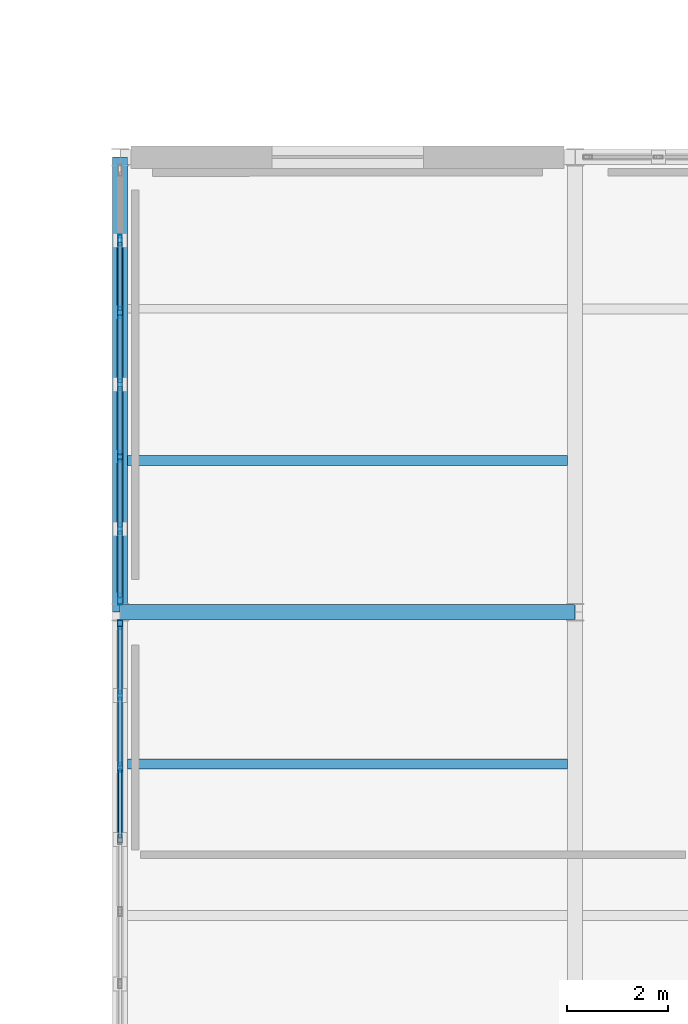
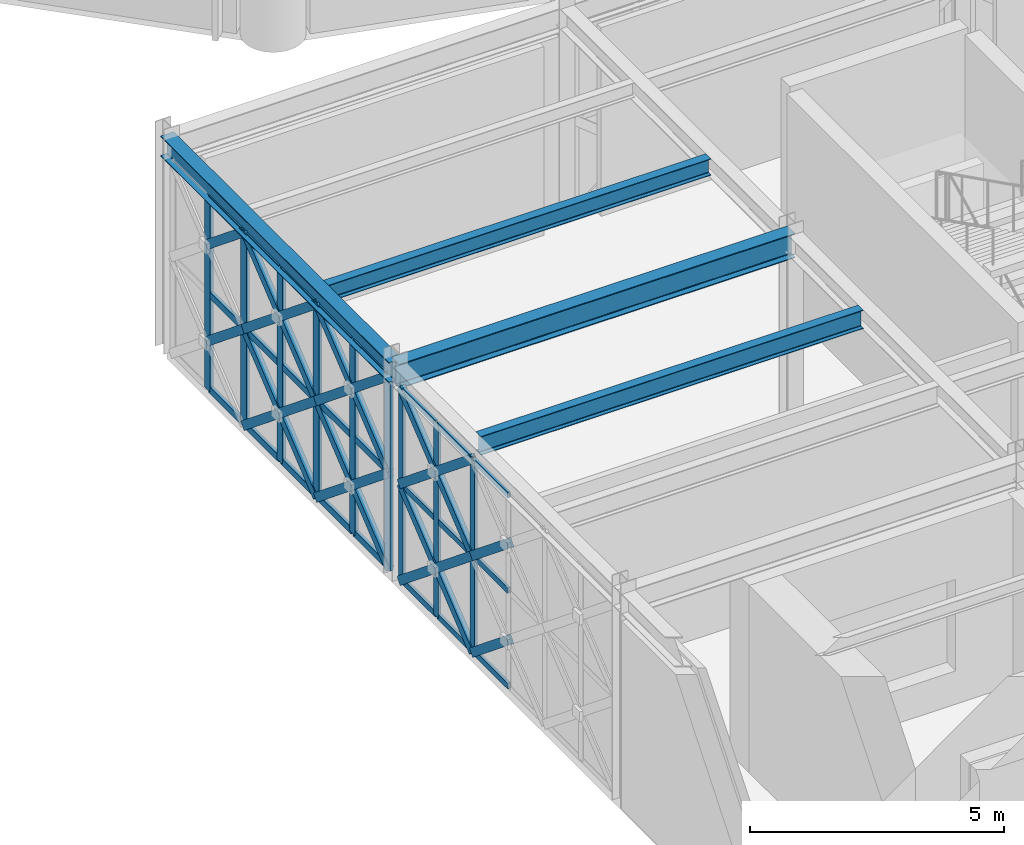
# One storey, part 35 of 166: 55 members, 4 beams, 2 elements without a shape of their own.
"""IFC4 building model written with IfcOpenShell, lengths in metres."""

from ifc_helpers import new_model, si_unit, direction, frame, origin, origin_2d, place, context, subcontext, project, spatial, hollow_rectangle, i_section, extrude, material, material_profile, profile_set, type_object, element, aggregate, save


model = new_model("IFC4")

# Units and contexts
model_context = context("Model", 3, precision=1e-05, world=origin(), true_north=direction((0.0, 1.0)))
body_context = subcontext(model_context, "Body", "Model", "MODEL_VIEW")
ifc_project = project(units=[si_unit("LENGTHUNIT", "METRE"), si_unit("AREAUNIT", "SQUARE_METRE"), si_unit("VOLUMEUNIT", "CUBIC_METRE"), si_unit("PLANEANGLEUNIT", "RADIAN"), si_unit("MASSUNIT", "GRAM", prefix="KILO")], contexts=[model_context])

# Site, building, storey
site_placement = place(None, origin())
site = spatial("IfcSite", under=ifc_project, at=site_placement, CompositionType="ELEMENT")
building_placement = place(site_placement, origin())
building = spatial("IfcBuilding", under=site, at=building_placement, Name="Haizhuo Lancet Aquarium", CompositionType="ELEMENT")
storey_placement = place(building_placement, frame((0.0, 0.0, 5.39990234375)))
storey = spatial("IfcBuildingStorey", under=building, at=storey_placement, Name="L01", CompositionType="ELEMENT", Elevation=5.39990234375)

# Beams
ifc_material_1 = material(Name="Steel S355", Category="steel")
ifc_material_profile_1 = material_profile(ifc_material_1, i_section(OverallWidth=0.300048828125, OverallDepth=0.488037109375, WebThickness=0.010986328125, FlangeThickness=0.01806640625, FilletRadius=0.02392578125, at=origin_2d()), Name="HM 488x300x11x18")
ifc_profile_set_1 = profile_set([ifc_material_profile_1], Name="Steel S355")
beam_type_1 = type_object("IfcBeamType", Name="BM-ST-HM488", PredefinedType="BEAM", material=ifc_profile_set_1)
beam_1_placement = place(storey_placement, frame((-18.0, -36.0, 4.89599609375), z_axis=(0.0, 1.0, 0.0), x_axis=(-1.0, 0.0, 0.0)))
element("IfcBeam", 1, at=beam_1_placement, inside=storey, type_object=beam_type_1, Name="L01 V4 primary girder BM-L01-V4-005", PredefinedType="BEAM", context=body_context, shape_type="SweptSolid", body=[
    extrude(i_section(OverallWidth=0.300048828125, OverallDepth=0.488037109375, WebThickness=0.010986328125, FlangeThickness=0.01806640625, FilletRadius=0.02392578125, at=origin_2d()), origin(), (0.0, 0.0, 1.0), 9.0),
])
ifc_material_profile_2 = material_profile(ifc_material_1, i_section(OverallWidth=0.300048828125, OverallDepth=0.587890625, WebThickness=0.011962890625, FlangeThickness=0.02001953125, FilletRadius=0.02587890625, at=origin_2d()), Name="HM 588x300x12x20")
ifc_profile_set_2 = profile_set([ifc_material_profile_2], Name="Steel S355")
beam_type_2 = type_object("IfcBeamType", Name="BM-ST-HM588", PredefinedType="BEAM", material=ifc_profile_set_2)
beam_2_placement = place(storey_placement, frame((-18.0, -36.0, 4.84619140625), z_axis=(1.0, 0.0, 0.0), x_axis=(0.0, 1.0, 0.0)))
element("IfcBeam", 2, at=beam_2_placement, inside=storey, type_object=beam_type_2, Name="L01 V4 primary girder BM-L01-V4-006", PredefinedType="BEAM", context=body_context, shape_type="SweptSolid", body=[
    extrude(i_section(OverallWidth=0.300048828125, OverallDepth=0.587890625, WebThickness=0.011962890625, FlangeThickness=0.02001953125, FilletRadius=0.02587890625, at=origin_2d()), origin(), (0.0, 0.0, 1.0), 9.0),
])

# Curtain wall, members
ifc_material_2 = material(Name="Aluminium 6063-T6", Category="aluminium")
curtain_wall_type = type_object("IfcCurtainWallType", Name="CWO-8560x4650", PredefinedType="NOTDEFINED", material=ifc_material_2)
curtain_wall_1_placement = place(storey_placement, origin())
curtain_wall_1 = element("IfcCurtainWall", 3, at=curtain_wall_1_placement, inside=storey, type_object=curtain_wall_type, Name="L01 curtain wall CW-V4-L01-100", PredefinedType="NOTDEFINED")
ifc_material_profile_3 = material_profile(ifc_material_2, hollow_rectangle(XDim=0.06494140625, YDim=0.179931640625, WallThickness=0.00390625, at=origin_2d()), Name="ALU-M 65x180x4")
ifc_profile_set_3 = profile_set([ifc_material_profile_3], Name="Aluminium 6063-T6")
member_type_1 = type_object("IfcMemberType", Name="CW-MUL-1", PredefinedType="MULLION", material=ifc_profile_set_3)
member_1_placement = place(storey_placement, frame((-18.0, -39.072998046875, 0.0), z_axis=(0.0, 0.0, 1.0), x_axis=(-1.0, 0.0, 0.0)))
member_1 = element("IfcMember", 4, at=member_1_placement, type_object=member_type_1, Name="CWO-85x46 mullion 5", PredefinedType="MULLION", context=body_context, shape_type="SweptSolid", body=[
    extrude(hollow_rectangle(XDim=0.06494140625, YDim=0.179931640625, WallThickness=0.00390625, at=origin_2d()), origin(), (0.0, 0.0, 1.0), 4.652099609375),
])
member_2_placement = place(storey_placement, frame((-18.0, -37.64697265625, 0.0), z_axis=(0.0, 0.0, 1.0), x_axis=(-1.0, 0.0, 0.0)))
member_2 = element("IfcMember", 5, at=member_2_placement, type_object=member_type_1, Name="CWO-85x46 mullion 6", PredefinedType="MULLION", context=body_context, shape_type="SweptSolid", body=[
    extrude(hollow_rectangle(XDim=0.06494140625, YDim=0.179931640625, WallThickness=0.00390625, at=origin_2d()), origin(), (0.0, 0.0, 1.0), 4.652099609375),
])
member_3_placement = place(storey_placement, frame((-18.0, -36.251953125, 0.0), z_axis=(0.0, 0.0, 1.0), x_axis=(-1.0, 0.0, 0.0)))
member_3 = element("IfcMember", 6, at=member_3_placement, type_object=member_type_1, Name="CWO-85x46 mullion 7", PredefinedType="MULLION", context=body_context, shape_type="SweptSolid", body=[
    extrude(hollow_rectangle(XDim=0.06494140625, YDim=0.179931640625, WallThickness=0.00390625, at=origin_2d()), origin(), (0.0, 0.0, 1.0), 4.652099609375),
])

curtain_wall_2_placement = place(storey_placement, origin())
curtain_wall_2 = element("IfcCurtainWall", 7, at=curtain_wall_2_placement, inside=storey, type_object=curtain_wall_type, Name="L01 curtain wall CW-V4-L01-101", PredefinedType="NOTDEFINED")
ifc_material_profile_4 = material_profile(ifc_material_2, hollow_rectangle(XDim=0.074951171875, YDim=0.219970703125, WallThickness=0.0048828125, at=origin_2d()), Name="ALU-M 75x220x5")
ifc_profile_set_4 = profile_set([ifc_material_profile_4], Name="Aluminium 6063-T6")
member_type_2 = type_object("IfcMemberType", Name="CW-MUL-2", PredefinedType="MULLION", material=ifc_profile_set_4)
member_4_placement = place(storey_placement, frame((-18.0, -35.741943359375, 0.0), z_axis=(0.0, 0.0, 1.0), x_axis=(-1.0, 0.0, 0.0)))
member_4 = element("IfcMember", 8, at=member_4_placement, type_object=member_type_2, Name="CWO-85x46 mullion 1", PredefinedType="MULLION", context=body_context, shape_type="SweptSolid", body=[
    extrude(hollow_rectangle(XDim=0.074951171875, YDim=0.219970703125, WallThickness=0.0048828125, at=origin_2d()), origin(), (0.0, 0.0, 1.0), 4.652099609375),
])
member_5_placement = place(storey_placement, frame((-18.0, -34.35302734375, 0.0), z_axis=(0.0, 0.0, 1.0), x_axis=(-1.0, 0.0, 0.0)))
member_5 = element("IfcMember", 9, at=member_5_placement, type_object=member_type_2, Name="CWO-85x46 mullion 2", PredefinedType="MULLION", context=body_context, shape_type="SweptSolid", body=[
    extrude(hollow_rectangle(XDim=0.074951171875, YDim=0.219970703125, WallThickness=0.0048828125, at=origin_2d()), origin(), (0.0, 0.0, 1.0), 4.652099609375),
])
member_6_placement = place(storey_placement, frame((-18.0, -32.927001953125, 0.0), z_axis=(0.0, 0.0, 1.0), x_axis=(-1.0, 0.0, 0.0)))
member_6 = element("IfcMember", 10, at=member_6_placement, type_object=member_type_2, Name="CWO-85x46 mullion 3", PredefinedType="MULLION", context=body_context, shape_type="SweptSolid", body=[
    extrude(hollow_rectangle(XDim=0.074951171875, YDim=0.219970703125, WallThickness=0.0048828125, at=origin_2d()), origin(), (0.0, 0.0, 1.0), 4.652099609375),
])
member_7_placement = place(storey_placement, frame((-18.0, -31.5, 0.0), z_axis=(0.0, 0.0, 1.0), x_axis=(-1.0, 0.0, 0.0)))
member_7 = element("IfcMember", 11, at=member_7_placement, type_object=member_type_2, Name="CWO-85x46 mullion 4", PredefinedType="MULLION", context=body_context, shape_type="SweptSolid", body=[
    extrude(hollow_rectangle(XDim=0.074951171875, YDim=0.219970703125, WallThickness=0.0048828125, at=origin_2d()), origin(), (0.0, 0.0, 1.0), 4.652099609375),
])
member_8_placement = place(storey_placement, frame((-18.0, -30.072998046875, 0.0), z_axis=(0.0, 0.0, 1.0), x_axis=(-1.0, 0.0, 0.0)))
member_8 = element("IfcMember", 12, at=member_8_placement, type_object=member_type_2, Name="CWO-85x46 mullion 5", PredefinedType="MULLION", context=body_context, shape_type="SweptSolid", body=[
    extrude(hollow_rectangle(XDim=0.074951171875, YDim=0.219970703125, WallThickness=0.0048828125, at=origin_2d()), origin(), (0.0, 0.0, 1.0), 4.652099609375),
])
member_9_placement = place(storey_placement, frame((-18.0, -28.64697265625, 0.0), z_axis=(0.0, 0.0, 1.0), x_axis=(-1.0, 0.0, 0.0)))
member_9 = element("IfcMember", 13, at=member_9_placement, type_object=member_type_2, Name="CWO-85x46 mullion 6", PredefinedType="MULLION", context=body_context, shape_type="SweptSolid", body=[
    extrude(hollow_rectangle(XDim=0.074951171875, YDim=0.219970703125, WallThickness=0.0048828125, at=origin_2d()), origin(), (0.0, 0.0, 1.0), 4.652099609375),
])

# Member
ifc_material_profile_5 = material_profile(ifc_material_2, hollow_rectangle(XDim=0.06494140625, YDim=0.139892578125, WallThickness=0.00390625, at=origin_2d()), Name="ALU-T 65x140x4")
ifc_profile_set_5 = profile_set([ifc_material_profile_5], Name="Aluminium 6063-T6")
member_type_3 = type_object("IfcMemberType", Name="CW-TRN-1", PredefinedType="NOTDEFINED", material=ifc_profile_set_5)
member_10_placement = place(storey_placement, frame((-18.0, -40.468017578125, 0.033203125), z_axis=(0.0, 1.0, 0.0), x_axis=(-1.0, 0.0, 0.0)))
member_10 = element("IfcMember", 14, at=member_10_placement, type_object=member_type_3, Name="CWO-85x46 transom 4.1", ObjectType="TRANSOM", PredefinedType="USERDEFINED", context=body_context, shape_type="SweptSolid", body=[
    extrude(hollow_rectangle(XDim=0.06494140625, YDim=0.139892578125, WallThickness=0.00390625, at=origin_2d()), origin(), (0.0, 0.0, 1.0), 1.362060546875),
])

member_11_placement = place(storey_placement, frame((-18.0, -40.468017578125, 2.326171875), z_axis=(0.0, 1.0, 0.0), x_axis=(-1.0, 0.0, 0.0)))
member_11 = element("IfcMember", 15, at=member_11_placement, type_object=member_type_3, Name="CWO-85x46 transom 4.2", ObjectType="TRANSOM", PredefinedType="USERDEFINED", context=body_context, shape_type="SweptSolid", body=[
    extrude(hollow_rectangle(XDim=0.06494140625, YDim=0.139892578125, WallThickness=0.00390625, at=origin_2d()), origin(), (0.0, 0.0, 1.0), 1.362060546875),
])

member_12_placement = place(storey_placement, frame((-18.0, -40.468017578125, 4.619140625), z_axis=(0.0, 1.0, 0.0), x_axis=(-1.0, 0.0, 0.0)))
member_12 = element("IfcMember", 16, at=member_12_placement, type_object=member_type_3, Name="CWO-85x46 transom 4.3", ObjectType="TRANSOM", PredefinedType="USERDEFINED", context=body_context, shape_type="SweptSolid", body=[
    extrude(hollow_rectangle(XDim=0.06494140625, YDim=0.139892578125, WallThickness=0.00390625, at=origin_2d()), origin(), (0.0, 0.0, 1.0), 1.362060546875),
])

member_13_placement = place(storey_placement, frame((-18.0, -39.041015625, 0.033203125), z_axis=(0.0, 1.0, 0.0), x_axis=(-1.0, 0.0, 0.0)))
member_13 = element("IfcMember", 17, at=member_13_placement, type_object=member_type_3, Name="CWO-85x46 transom 5.1", ObjectType="TRANSOM", PredefinedType="USERDEFINED", context=body_context, shape_type="SweptSolid", body=[
    extrude(hollow_rectangle(XDim=0.06494140625, YDim=0.139892578125, WallThickness=0.00390625, at=origin_2d()), origin(), (0.0, 0.0, 1.0), 1.362060546875),
])

member_14_placement = place(storey_placement, frame((-18.0, -39.041015625, 2.326171875), z_axis=(0.0, 1.0, 0.0), x_axis=(-1.0, 0.0, 0.0)))
member_14 = element("IfcMember", 18, at=member_14_placement, type_object=member_type_3, Name="CWO-85x46 transom 5.2", ObjectType="TRANSOM", PredefinedType="USERDEFINED", context=body_context, shape_type="SweptSolid", body=[
    extrude(hollow_rectangle(XDim=0.06494140625, YDim=0.139892578125, WallThickness=0.00390625, at=origin_2d()), origin(), (0.0, 0.0, 1.0), 1.362060546875),
])

member_15_placement = place(storey_placement, frame((-18.0, -39.041015625, 4.619140625), z_axis=(0.0, 1.0, 0.0), x_axis=(-1.0, 0.0, 0.0)))
member_15 = element("IfcMember", 19, at=member_15_placement, type_object=member_type_3, Name="CWO-85x46 transom 5.3", ObjectType="TRANSOM", PredefinedType="USERDEFINED", context=body_context, shape_type="SweptSolid", body=[
    extrude(hollow_rectangle(XDim=0.06494140625, YDim=0.139892578125, WallThickness=0.00390625, at=origin_2d()), origin(), (0.0, 0.0, 1.0), 1.362060546875),
])

member_16_placement = place(storey_placement, frame((-18.0, -37.614013671875, 0.033203125), z_axis=(0.0, 1.0, 0.0), x_axis=(-1.0, 0.0, 0.0)))
member_16 = element("IfcMember", 20, at=member_16_placement, type_object=member_type_3, Name="CWO-85x46 transom 6.1", ObjectType="TRANSOM", PredefinedType="USERDEFINED", context=body_context, shape_type="SweptSolid", body=[
    extrude(hollow_rectangle(XDim=0.06494140625, YDim=0.139892578125, WallThickness=0.00390625, at=origin_2d()), origin(), (0.0, 0.0, 1.0), 1.3291015625),
])

member_17_placement = place(storey_placement, frame((-18.0, -37.614013671875, 2.326171875), z_axis=(0.0, 1.0, 0.0), x_axis=(-1.0, 0.0, 0.0)))
member_17 = element("IfcMember", 21, at=member_17_placement, type_object=member_type_3, Name="CWO-85x46 transom 6.2", ObjectType="TRANSOM", PredefinedType="USERDEFINED", context=body_context, shape_type="SweptSolid", body=[
    extrude(hollow_rectangle(XDim=0.06494140625, YDim=0.139892578125, WallThickness=0.00390625, at=origin_2d()), origin(), (0.0, 0.0, 1.0), 1.3291015625),
])

member_18_placement = place(storey_placement, frame((-18.0, -37.614013671875, 4.619140625), z_axis=(0.0, 1.0, 0.0), x_axis=(-1.0, 0.0, 0.0)))
member_18 = element("IfcMember", 22, at=member_18_placement, type_object=member_type_3, Name="CWO-85x46 transom 6.3", ObjectType="TRANSOM", PredefinedType="USERDEFINED", context=body_context, shape_type="SweptSolid", body=[
    extrude(hollow_rectangle(XDim=0.06494140625, YDim=0.139892578125, WallThickness=0.00390625, at=origin_2d()), origin(), (0.0, 0.0, 1.0), 1.3291015625),
])

aggregate(curtain_wall_1, [member_1, member_2, member_3, member_10, member_11, member_12, member_13, member_14, member_15, member_16, member_17, member_18])

ifc_material_profile_6 = material_profile(ifc_material_2, hollow_rectangle(XDim=0.074951171875, YDim=0.159912109375, WallThickness=0.00390625, at=origin_2d()), Name="ALU-T 75x160x4")
ifc_profile_set_6 = profile_set([ifc_material_profile_6], Name="Aluminium 6063-T6")
member_type_4 = type_object("IfcMemberType", Name="CW-TRN-2", PredefinedType="NOTDEFINED", material=ifc_profile_set_6)
member_19_placement = place(storey_placement, frame((-18.0, -35.705078125, 0.0380859375), z_axis=(0.0, 1.0, 0.0), x_axis=(-1.0, 0.0, 0.0)))
member_19 = element("IfcMember", 23, at=member_19_placement, type_object=member_type_4, Name="CWO-85x46 transom 1.1", ObjectType="TRANSOM", PredefinedType="USERDEFINED", context=body_context, shape_type="SweptSolid", body=[
    extrude(hollow_rectangle(XDim=0.074951171875, YDim=0.159912109375, WallThickness=0.00390625, at=origin_2d()), origin(), (0.0, 0.0, 1.0), 1.31396484375),
])

member_20_placement = place(storey_placement, frame((-18.0, -35.705078125, 2.326171875), z_axis=(0.0, 1.0, 0.0), x_axis=(-1.0, 0.0, 0.0)))
member_20 = element("IfcMember", 24, at=member_20_placement, type_object=member_type_4, Name="CWO-85x46 transom 1.2", ObjectType="TRANSOM", PredefinedType="USERDEFINED", context=body_context, shape_type="SweptSolid", body=[
    extrude(hollow_rectangle(XDim=0.074951171875, YDim=0.159912109375, WallThickness=0.00390625, at=origin_2d()), origin(), (0.0, 0.0, 1.0), 1.31396484375),
])

member_21_placement = place(storey_placement, frame((-18.0, -35.705078125, 4.614013671875), z_axis=(0.0, 1.0, 0.0), x_axis=(-1.0, 0.0, 0.0)))
member_21 = element("IfcMember", 25, at=member_21_placement, type_object=member_type_4, Name="CWO-85x46 transom 1.3", ObjectType="TRANSOM", PredefinedType="USERDEFINED", context=body_context, shape_type="SweptSolid", body=[
    extrude(hollow_rectangle(XDim=0.074951171875, YDim=0.159912109375, WallThickness=0.00390625, at=origin_2d()), origin(), (0.0, 0.0, 1.0), 1.31396484375),
])

member_22_placement = place(storey_placement, frame((-18.0, -34.31591796875, 0.0380859375), z_axis=(0.0, 1.0, 0.0), x_axis=(-1.0, 0.0, 0.0)))
member_22 = element("IfcMember", 26, at=member_22_placement, type_object=member_type_4, Name="CWO-85x46 transom 2.1", ObjectType="TRANSOM", PredefinedType="USERDEFINED", context=body_context, shape_type="SweptSolid", body=[
    extrude(hollow_rectangle(XDim=0.074951171875, YDim=0.159912109375, WallThickness=0.00390625, at=origin_2d()), origin(), (0.0, 0.0, 1.0), 1.351806640625),
])

member_23_placement = place(storey_placement, frame((-18.0, -34.31591796875, 2.326171875), z_axis=(0.0, 1.0, 0.0), x_axis=(-1.0, 0.0, 0.0)))
member_23 = element("IfcMember", 27, at=member_23_placement, type_object=member_type_4, Name="CWO-85x46 transom 2.2", ObjectType="TRANSOM", PredefinedType="USERDEFINED", context=body_context, shape_type="SweptSolid", body=[
    extrude(hollow_rectangle(XDim=0.074951171875, YDim=0.159912109375, WallThickness=0.00390625, at=origin_2d()), origin(), (0.0, 0.0, 1.0), 1.351806640625),
])

member_24_placement = place(storey_placement, frame((-18.0, -34.31591796875, 4.614013671875), z_axis=(0.0, 1.0, 0.0), x_axis=(-1.0, 0.0, 0.0)))
member_24 = element("IfcMember", 28, at=member_24_placement, type_object=member_type_4, Name="CWO-85x46 transom 2.3", ObjectType="TRANSOM", PredefinedType="USERDEFINED", context=body_context, shape_type="SweptSolid", body=[
    extrude(hollow_rectangle(XDim=0.074951171875, YDim=0.159912109375, WallThickness=0.00390625, at=origin_2d()), origin(), (0.0, 0.0, 1.0), 1.351806640625),
])

member_25_placement = place(storey_placement, frame((-18.0, -32.888916015625, 0.0380859375), z_axis=(0.0, 1.0, 0.0), x_axis=(-1.0, 0.0, 0.0)))
member_25 = element("IfcMember", 29, at=member_25_placement, type_object=member_type_4, Name="CWO-85x46 transom 3.1", ObjectType="TRANSOM", PredefinedType="USERDEFINED", context=body_context, shape_type="SweptSolid", body=[
    extrude(hollow_rectangle(XDim=0.074951171875, YDim=0.159912109375, WallThickness=0.00390625, at=origin_2d()), origin(), (0.0, 0.0, 1.0), 1.350830078125),
])

member_26_placement = place(storey_placement, frame((-18.0, -32.888916015625, 2.326171875), z_axis=(0.0, 1.0, 0.0), x_axis=(-1.0, 0.0, 0.0)))
member_26 = element("IfcMember", 30, at=member_26_placement, type_object=member_type_4, Name="CWO-85x46 transom 3.2", ObjectType="TRANSOM", PredefinedType="USERDEFINED", context=body_context, shape_type="SweptSolid", body=[
    extrude(hollow_rectangle(XDim=0.074951171875, YDim=0.159912109375, WallThickness=0.00390625, at=origin_2d()), origin(), (0.0, 0.0, 1.0), 1.350830078125),
])

member_27_placement = place(storey_placement, frame((-18.0, -32.888916015625, 4.614013671875), z_axis=(0.0, 1.0, 0.0), x_axis=(-1.0, 0.0, 0.0)))
member_27 = element("IfcMember", 31, at=member_27_placement, type_object=member_type_4, Name="CWO-85x46 transom 3.3", ObjectType="TRANSOM", PredefinedType="USERDEFINED", context=body_context, shape_type="SweptSolid", body=[
    extrude(hollow_rectangle(XDim=0.074951171875, YDim=0.159912109375, WallThickness=0.00390625, at=origin_2d()), origin(), (0.0, 0.0, 1.0), 1.350830078125),
])

member_28_placement = place(storey_placement, frame((-18.0, -31.4619140625, 0.0380859375), z_axis=(0.0, 1.0, 0.0), x_axis=(-1.0, 0.0, 0.0)))
member_28 = element("IfcMember", 32, at=member_28_placement, type_object=member_type_4, Name="CWO-85x46 transom 4.1", ObjectType="TRANSOM", PredefinedType="USERDEFINED", context=body_context, shape_type="SweptSolid", body=[
    extrude(hollow_rectangle(XDim=0.074951171875, YDim=0.159912109375, WallThickness=0.00390625, at=origin_2d()), origin(), (0.0, 0.0, 1.0), 1.350830078125),
])

member_29_placement = place(storey_placement, frame((-18.0, -31.4619140625, 2.326171875), z_axis=(0.0, 1.0, 0.0), x_axis=(-1.0, 0.0, 0.0)))
member_29 = element("IfcMember", 33, at=member_29_placement, type_object=member_type_4, Name="CWO-85x46 transom 4.2", ObjectType="TRANSOM", PredefinedType="USERDEFINED", context=body_context, shape_type="SweptSolid", body=[
    extrude(hollow_rectangle(XDim=0.074951171875, YDim=0.159912109375, WallThickness=0.00390625, at=origin_2d()), origin(), (0.0, 0.0, 1.0), 1.350830078125),
])

member_30_placement = place(storey_placement, frame((-18.0, -31.4619140625, 4.614013671875), z_axis=(0.0, 1.0, 0.0), x_axis=(-1.0, 0.0, 0.0)))
member_30 = element("IfcMember", 34, at=member_30_placement, type_object=member_type_4, Name="CWO-85x46 transom 4.3", ObjectType="TRANSOM", PredefinedType="USERDEFINED", context=body_context, shape_type="SweptSolid", body=[
    extrude(hollow_rectangle(XDim=0.074951171875, YDim=0.159912109375, WallThickness=0.00390625, at=origin_2d()), origin(), (0.0, 0.0, 1.0), 1.350830078125),
])

member_31_placement = place(storey_placement, frame((-18.0, -30.035888671875, 0.0380859375), z_axis=(0.0, 1.0, 0.0), x_axis=(-1.0, 0.0, 0.0)))
member_31 = element("IfcMember", 35, at=member_31_placement, type_object=member_type_4, Name="CWO-85x46 transom 5.1", ObjectType="TRANSOM", PredefinedType="USERDEFINED", context=body_context, shape_type="SweptSolid", body=[
    extrude(hollow_rectangle(XDim=0.074951171875, YDim=0.159912109375, WallThickness=0.00390625, at=origin_2d()), origin(), (0.0, 0.0, 1.0), 1.351806640625),
])

member_32_placement = place(storey_placement, frame((-18.0, -30.035888671875, 2.326171875), z_axis=(0.0, 1.0, 0.0), x_axis=(-1.0, 0.0, 0.0)))
member_32 = element("IfcMember", 36, at=member_32_placement, type_object=member_type_4, Name="CWO-85x46 transom 5.2", ObjectType="TRANSOM", PredefinedType="USERDEFINED", context=body_context, shape_type="SweptSolid", body=[
    extrude(hollow_rectangle(XDim=0.074951171875, YDim=0.159912109375, WallThickness=0.00390625, at=origin_2d()), origin(), (0.0, 0.0, 1.0), 1.351806640625),
])

member_33_placement = place(storey_placement, frame((-18.0, -30.035888671875, 4.614013671875), z_axis=(0.0, 1.0, 0.0), x_axis=(-1.0, 0.0, 0.0)))
member_33 = element("IfcMember", 37, at=member_33_placement, type_object=member_type_4, Name="CWO-85x46 transom 5.3", ObjectType="TRANSOM", PredefinedType="USERDEFINED", context=body_context, shape_type="SweptSolid", body=[
    extrude(hollow_rectangle(XDim=0.074951171875, YDim=0.159912109375, WallThickness=0.00390625, at=origin_2d()), origin(), (0.0, 0.0, 1.0), 1.351806640625),
])

aggregate(curtain_wall_2, [member_4, member_5, member_6, member_7, member_8, member_9, member_19, member_20, member_21, member_22, member_23, member_24, member_25, member_26, member_27, member_28, member_29, member_30, member_31, member_32, member_33])

# Beams
ifc_material_profile_7 = material_profile(ifc_material_1, i_section(OverallWidth=0.199951171875, OverallDepth=0.39990234375, WebThickness=0.008056640625, FlangeThickness=0.012939453125, FilletRadius=0.01611328125, at=origin_2d()), Name="HN 400x200x8x13")
ifc_profile_set_7 = profile_set([ifc_material_profile_7], Name="Steel S355")
beam_type_3 = type_object("IfcBeamType", Name="JST-ST-HN400", PredefinedType="JOIST", material=ifc_profile_set_7)
beam_3_placement = place(storey_placement, frame((-17.85009765625, -33.0, 4.940185546875), z_axis=(1.0, 0.0, 0.0), x_axis=(0.0, 1.0, 0.0)))
element("IfcBeam", 38, at=beam_3_placement, inside=storey, type_object=beam_type_3, Name="L01 V4 secondary floor joist 5", PredefinedType="JOIST", context=body_context, shape_type="SweptSolid", body=[
    extrude(i_section(OverallWidth=0.199951171875, OverallDepth=0.39990234375, WebThickness=0.008056640625, FlangeThickness=0.012939453125, FilletRadius=0.01611328125, at=origin_2d()), origin(), (0.0, 0.0, 1.0), 8.7001953125),
])
ifc_material_profile_8 = material_profile(ifc_material_1, i_section(OverallWidth=0.199951171875, OverallDepth=0.449951171875, WebThickness=0.009033203125, FlangeThickness=0.013916015625, FilletRadius=0.01806640625, at=origin_2d()), Name="HN 450x200x9x14")
ifc_profile_set_8 = profile_set([ifc_material_profile_8], Name="Steel S355")
beam_type_4 = type_object("IfcBeamType", Name="JST-ST-HN450", PredefinedType="JOIST", material=ifc_profile_set_8)
beam_4_placement = place(storey_placement, frame((-17.85009765625, -39.0, 4.9150390625), z_axis=(1.0, 0.0, 0.0), x_axis=(0.0, 1.0, 0.0)))
element("IfcBeam", 39, at=beam_4_placement, inside=storey, type_object=beam_type_4, Name="L01 V4 secondary floor joist 4", PredefinedType="JOIST", context=body_context, shape_type="SweptSolid", body=[
    extrude(i_section(OverallWidth=0.199951171875, OverallDepth=0.449951171875, WebThickness=0.009033203125, FlangeThickness=0.013916015625, FilletRadius=0.01806640625, at=origin_2d()), origin(), (0.0, 0.0, 1.0), 8.7001953125),
])

# Members
ifc_material_profile_9 = material_profile(ifc_material_1, hollow_rectangle(XDim=0.1201171875, YDim=0.199951171875, WallThickness=0.008056640625, at=origin_2d()), Name="RHS 120x200x8")
ifc_profile_set_9 = profile_set([ifc_material_profile_9], Name="Steel S355")
member_type_5 = type_object("IfcMemberType", Name="MEM-LB-RHS120x200", PredefinedType="BRACE", material=ifc_profile_set_9)
member_34_placement = place(storey_placement, frame((-18.0, -39.072998046875, 0.0), z_axis=(0.0, -0.77514357805, 0.631785116481), x_axis=(1.0, 0.0, 0.0)))
element("IfcMember", 40, at=member_34_placement, inside=storey, type_object=member_type_5, Name="Gothic lancet split diagonal brace CW-V4-L01-100 3B1", PredefinedType="BRACE", context=body_context, shape_type="SweptSolid", body=[
    extrude(hollow_rectangle(XDim=0.1201171875, YDim=0.199951171875, WallThickness=0.008056640625, at=origin_2d()), origin(), (0.0, 0.0, 1.0), 1.841064453125),
])
member_35_placement = place(storey_placement, frame((-18.0, -39.072998046875, 2.326171875), z_axis=(0.0, -0.775208524913, 0.631705424151), x_axis=(1.0, 0.0, 0.0)))
element("IfcMember", 41, at=member_35_placement, inside=storey, type_object=member_type_5, Name="Gothic lancet split diagonal brace CW-V4-L01-100 4B1", PredefinedType="BRACE", context=body_context, shape_type="SweptSolid", body=[
    extrude(hollow_rectangle(XDim=0.1201171875, YDim=0.199951171875, WallThickness=0.008056640625, at=origin_2d()), origin(), (0.0, 0.0, 1.0), 1.8408203125),
])
member_36_placement = place(storey_placement, frame((-18.0, -39.072998046875, 0.0), z_axis=(0.0, 0.775037676978, 0.631915025351), x_axis=(-1.0, 0.0, 0.0)))
element("IfcMember", 42, at=member_36_placement, inside=storey, type_object=member_type_5, Name="Gothic lancet continuous diagonal brace CW-V4-L01-100 5A", PredefinedType="BRACE", context=body_context, shape_type="SweptSolid", body=[
    extrude(hollow_rectangle(XDim=0.1201171875, YDim=0.199951171875, WallThickness=0.008056640625, at=origin_2d()), origin(), (0.0, 0.0, 1.0), 3.68115234375),
])
member_37_placement = place(storey_placement, frame((-18.0, -36.219970703125, 0.0), z_axis=(0.0, -0.77514357805, 0.631785116481), x_axis=(1.0, 0.0, 0.0)))
element("IfcMember", 43, at=member_37_placement, inside=storey, type_object=member_type_5, Name="Gothic lancet split diagonal brace CW-V4-L01-100 5B1", PredefinedType="BRACE", context=body_context, shape_type="SweptSolid", body=[
    extrude(hollow_rectangle(XDim=0.1201171875, YDim=0.199951171875, WallThickness=0.008056640625, at=origin_2d()), origin(), (0.0, 0.0, 1.0), 1.841064453125),
])
member_38_placement = place(storey_placement, frame((-18.0, -37.64697265625, 1.1630859375), z_axis=(0.0, -0.774931710564, 0.63204496989), x_axis=(1.0, 0.0, 0.0)))
element("IfcMember", 44, at=member_38_placement, inside=storey, type_object=member_type_5, Name="Gothic lancet split diagonal brace CW-V4-L01-100 5B2", PredefinedType="BRACE", context=body_context, shape_type="SweptSolid", body=[
    extrude(hollow_rectangle(XDim=0.1201171875, YDim=0.199951171875, WallThickness=0.008056640625, at=origin_2d()), origin(), (0.0, 0.0, 1.0), 1.840087890625),
])
member_39_placement = place(storey_placement, frame((-18.0, -39.072998046875, 2.326171875), z_axis=(0.0, 0.775070158992, 0.631875184384), x_axis=(-1.0, 0.0, 0.0)))
element("IfcMember", 45, at=member_39_placement, inside=storey, type_object=member_type_5, Name="Gothic lancet continuous diagonal brace CW-V4-L01-100 6A", PredefinedType="BRACE", context=body_context, shape_type="SweptSolid", body=[
    extrude(hollow_rectangle(XDim=0.1201171875, YDim=0.199951171875, WallThickness=0.008056640625, at=origin_2d()), origin(), (0.0, 0.0, 1.0), 3.680908203125),
])
member_40_placement = place(storey_placement, frame((-18.0, -36.219970703125, 2.326171875), z_axis=(0.0, -0.775208524913, 0.631705424151), x_axis=(1.0, 0.0, 0.0)))
element("IfcMember", 46, at=member_40_placement, inside=storey, type_object=member_type_5, Name="Gothic lancet split diagonal brace CW-V4-L01-100 6B1", PredefinedType="BRACE", context=body_context, shape_type="SweptSolid", body=[
    extrude(hollow_rectangle(XDim=0.1201171875, YDim=0.199951171875, WallThickness=0.008056640625, at=origin_2d()), origin(), (0.0, 0.0, 1.0), 1.8408203125),
])
member_41_placement = place(storey_placement, frame((-18.0, -37.64697265625, 3.489013671875), z_axis=(0.0, -0.774931710564, 0.63204496989), x_axis=(1.0, 0.0, 0.0)))
element("IfcMember", 47, at=member_41_placement, inside=storey, type_object=member_type_5, Name="Gothic lancet split diagonal brace CW-V4-L01-100 6B2", PredefinedType="BRACE", context=body_context, shape_type="SweptSolid", body=[
    extrude(hollow_rectangle(XDim=0.1201171875, YDim=0.199951171875, WallThickness=0.008056640625, at=origin_2d()), origin(), (0.0, 0.0, 1.0), 1.840087890625),
])
member_42_placement = place(storey_placement, frame((-18.0, -35.780029296875, 0.0), z_axis=(0.0, 0.775037676978, 0.631915025351), x_axis=(-1.0, 0.0, 0.0)))
element("IfcMember", 48, at=member_42_placement, inside=storey, type_object=member_type_5, Name="Gothic lancet continuous diagonal brace CW-V4-L01-101 1A", PredefinedType="BRACE", context=body_context, shape_type="SweptSolid", body=[
    extrude(hollow_rectangle(XDim=0.1201171875, YDim=0.199951171875, WallThickness=0.008056640625, at=origin_2d()), origin(), (0.0, 0.0, 1.0), 3.68115234375),
])
member_43_placement = place(storey_placement, frame((-18.0, -32.927001953125, 0.0), z_axis=(0.0, -0.774931710564, 0.63204496989), x_axis=(1.0, 0.0, 0.0)))
element("IfcMember", 49, at=member_43_placement, inside=storey, type_object=member_type_5, Name="Gothic lancet split diagonal brace CW-V4-L01-101 1B1", PredefinedType="BRACE", context=body_context, shape_type="SweptSolid", body=[
    extrude(hollow_rectangle(XDim=0.1201171875, YDim=0.199951171875, WallThickness=0.008056640625, at=origin_2d()), origin(), (0.0, 0.0, 1.0), 1.840087890625),
])
member_44_placement = place(storey_placement, frame((-18.0, -34.35302734375, 1.1630859375), z_axis=(0.0, -0.77514357805, 0.631785116481), x_axis=(1.0, 0.0, 0.0)))
element("IfcMember", 50, at=member_44_placement, inside=storey, type_object=member_type_5, Name="Gothic lancet split diagonal brace CW-V4-L01-101 1B2", PredefinedType="BRACE", context=body_context, shape_type="SweptSolid", body=[
    extrude(hollow_rectangle(XDim=0.1201171875, YDim=0.199951171875, WallThickness=0.008056640625, at=origin_2d()), origin(), (0.0, 0.0, 1.0), 1.841064453125),
])
member_45_placement = place(storey_placement, frame((-18.0, -35.780029296875, 2.326171875), z_axis=(0.0, 0.775070158992, 0.631875184384), x_axis=(-1.0, 0.0, 0.0)))
element("IfcMember", 51, at=member_45_placement, inside=storey, type_object=member_type_5, Name="Gothic lancet continuous diagonal brace CW-V4-L01-101 2A", PredefinedType="BRACE", context=body_context, shape_type="SweptSolid", body=[
    extrude(hollow_rectangle(XDim=0.1201171875, YDim=0.199951171875, WallThickness=0.008056640625, at=origin_2d()), origin(), (0.0, 0.0, 1.0), 3.680908203125),
])
member_46_placement = place(storey_placement, frame((-18.0, -32.927001953125, 2.326171875), z_axis=(0.0, -0.774996693103, 0.63196528835), x_axis=(1.0, 0.0, 0.0)))
element("IfcMember", 52, at=member_46_placement, inside=storey, type_object=member_type_5, Name="Gothic lancet split diagonal brace CW-V4-L01-101 2B1", PredefinedType="BRACE", context=body_context, shape_type="SweptSolid", body=[
    extrude(hollow_rectangle(XDim=0.1201171875, YDim=0.199951171875, WallThickness=0.008056640625, at=origin_2d()), origin(), (0.0, 0.0, 1.0), 1.840087890625),
])
member_47_placement = place(storey_placement, frame((-18.0, -34.35302734375, 3.489013671875), z_axis=(0.0, -0.77514357805, 0.631785116481), x_axis=(1.0, 0.0, 0.0)))
element("IfcMember", 53, at=member_47_placement, inside=storey, type_object=member_type_5, Name="Gothic lancet split diagonal brace CW-V4-L01-101 2B2", PredefinedType="BRACE", context=body_context, shape_type="SweptSolid", body=[
    extrude(hollow_rectangle(XDim=0.1201171875, YDim=0.199951171875, WallThickness=0.008056640625, at=origin_2d()), origin(), (0.0, 0.0, 1.0), 1.841064453125),
])
member_48_placement = place(storey_placement, frame((-18.0, -32.927001953125, 0.0), z_axis=(0.0, 0.77514357805, 0.631785116481), x_axis=(-1.0, 0.0, 0.0)))
element("IfcMember", 54, at=member_48_placement, inside=storey, type_object=member_type_5, Name="Gothic lancet continuous diagonal brace CW-V4-L01-101 3A", PredefinedType="BRACE", context=body_context, shape_type="SweptSolid", body=[
    extrude(hollow_rectangle(XDim=0.1201171875, YDim=0.199951171875, WallThickness=0.008056640625, at=origin_2d()), origin(), (0.0, 0.0, 1.0), 3.681884765625),
])
for number, where, z_axis, x_axis, name in (
    (55, (-18.0, -30.072998046875, 0.0), (0.0, -0.77514357805, 0.631785116481), (1.0, 0.0, 0.0), "Gothic lancet split diagonal brace CW-V4-L01-101 3B1"),
    (56, (-18.0, -31.5, 1.1630859375), (0.0, -0.77514357805, 0.631785116481), (1.0, 0.0, 0.0), "Gothic lancet split diagonal brace CW-V4-L01-101 3B2"),
):
    element("IfcMember", number, at=place(storey_placement, frame(where, z_axis=z_axis, x_axis=x_axis)), inside=storey, type_object=member_type_5, Name=name, PredefinedType="BRACE", context=body_context, shape_type="SweptSolid", body=[
        extrude(hollow_rectangle(XDim=0.1201171875, YDim=0.199951171875, WallThickness=0.008056640625, at=origin_2d()), origin(), (0.0, 0.0, 1.0), 1.841064453125),
    ])
member_49_placement = place(storey_placement, frame((-18.0, -32.927001953125, 2.326171875), z_axis=(0.0, 0.775176051146, 0.63174527282), x_axis=(-1.0, 0.0, 0.0)))
element("IfcMember", 57, at=member_49_placement, inside=storey, type_object=member_type_5, Name="Gothic lancet continuous diagonal brace CW-V4-L01-101 4A", PredefinedType="BRACE", context=body_context, shape_type="SweptSolid", body=[
    extrude(hollow_rectangle(XDim=0.1201171875, YDim=0.199951171875, WallThickness=0.008056640625, at=origin_2d()), origin(), (0.0, 0.0, 1.0), 3.681640625),
])
member_50_placement = place(storey_placement, frame((-18.0, -30.072998046875, 2.326171875), z_axis=(0.0, -0.775208524913, 0.631705424151), x_axis=(1.0, 0.0, 0.0)))
element("IfcMember", 58, at=member_50_placement, inside=storey, type_object=member_type_5, Name="Gothic lancet split diagonal brace CW-V4-L01-101 4B1", PredefinedType="BRACE", context=body_context, shape_type="SweptSolid", body=[
    extrude(hollow_rectangle(XDim=0.1201171875, YDim=0.199951171875, WallThickness=0.008056640625, at=origin_2d()), origin(), (0.0, 0.0, 1.0), 1.8408203125),
])
for number, where, z_axis, x_axis, name in (
    (59, (-18.0, -31.5, 3.489013671875), (0.0, -0.77514357805, 0.631785116481), (1.0, 0.0, 0.0), "Gothic lancet split diagonal brace CW-V4-L01-101 4B2"),
    (60, (-18.0, -28.64599609375, 1.1630859375), (0.0, -0.77514357805, 0.631785116481), (1.0, 0.0, 0.0), "Gothic lancet split diagonal brace CW-V4-L01-101 5B2"),
    (61, (-18.0, -28.64599609375, 3.489013671875), (0.0, -0.77514357805, 0.631785116481), (1.0, 0.0, 0.0), "Gothic lancet split diagonal brace CW-V4-L01-101 6B2"),
):
    element("IfcMember", number, at=place(storey_placement, frame(where, z_axis=z_axis, x_axis=x_axis)), inside=storey, type_object=member_type_5, Name=name, PredefinedType="BRACE", context=body_context, shape_type="SweptSolid", body=[
        extrude(hollow_rectangle(XDim=0.1201171875, YDim=0.199951171875, WallThickness=0.008056640625, at=origin_2d()), origin(), (0.0, 0.0, 1.0), 1.841064453125),
    ])

save(model, "model.ifc")
